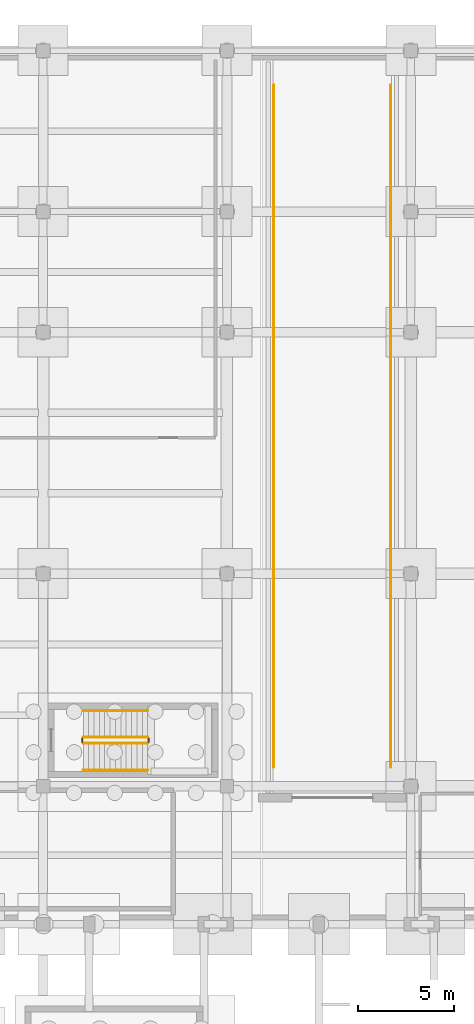
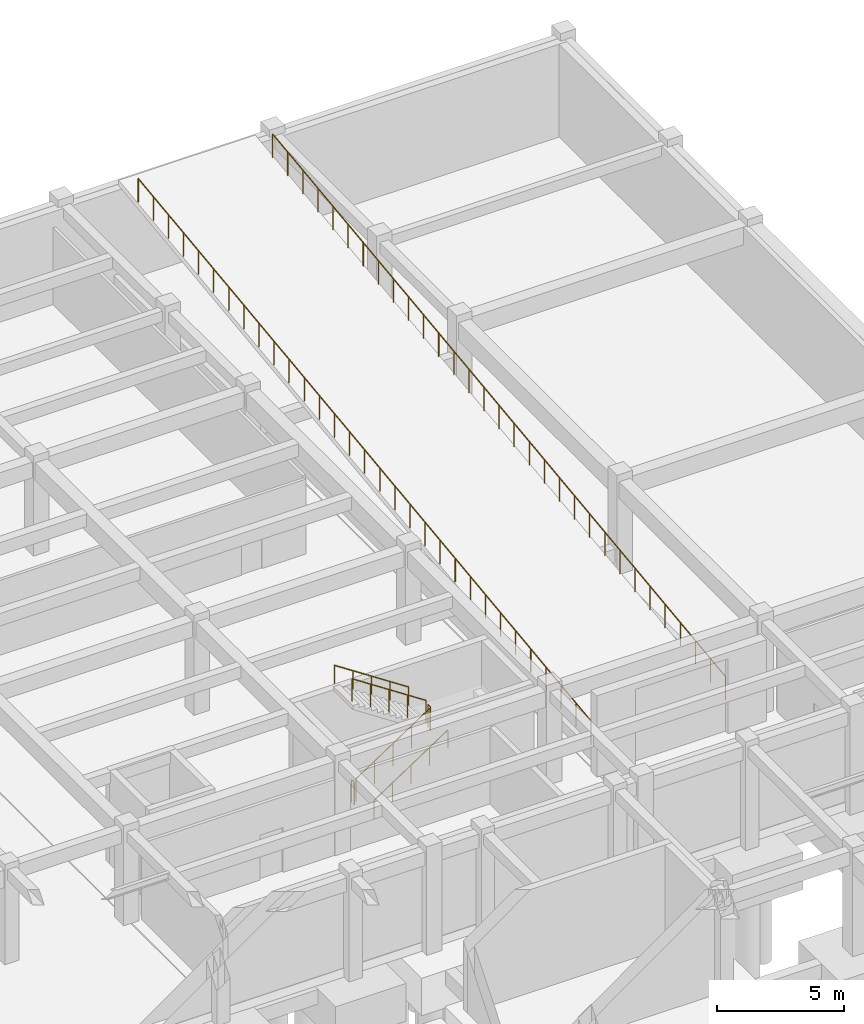
# One storey, part 36 of 37: 8 railings.
"""IFC4 building model written with IfcOpenShell, lengths in metres."""

from ifc_helpers import new_model, si_unit, direction, frame, origin, origin_2d, place, context, subcontext, project, spatial, circle, extrude, material, type_object, element, save


model = new_model("IFC4")

# Units and contexts
model_context = context("Model", 3, precision=1e-05, world=origin(), true_north=direction((0.0, 1.0)))
body_context = subcontext(model_context, "Body", "Model", "MODEL_VIEW")
ifc_project = project(units=[si_unit("LENGTHUNIT", "METRE"), si_unit("AREAUNIT", "SQUARE_METRE"), si_unit("VOLUMEUNIT", "CUBIC_METRE"), si_unit("PLANEANGLEUNIT", "RADIAN"), si_unit("MASSUNIT", "GRAM", prefix="KILO")], contexts=[model_context])

# Site, building, storey
site_placement = place(None, origin())
site = spatial("IfcSite", under=ifc_project, at=site_placement, CompositionType="ELEMENT")
building_placement = place(site_placement, origin())
building = spatial("IfcBuilding", under=site, at=building_placement, Name="Tarnavel Promenade Courthouse", CompositionType="ELEMENT")
storey_placement = place(building_placement, frame((0.0, 0.0, -4.800048828125)))
storey = spatial("IfcBuildingStorey", under=building, at=storey_placement, Name="B01", CompositionType="ELEMENT", Elevation=-4.800048828125)

# Railings
ifc_material_1 = material(Name="Brushed Bronze Tubular Stair Handrail")
railing_type_1 = type_object("IfcRailingType", Name="Brushed Bronze Tubular Stair Handrail (RL-HND-0900)", PredefinedType="HANDRAIL", material=ifc_material_1)
railing_1_placement = place(storey_placement, frame((131.699951171875, 75.25, 0.1845703125)))
element("IfcRailing", 1, at=railing_1_placement, inside=storey, type_object=railing_type_1, Name="B01 ST-06 stair handrail 1", PredefinedType="HANDRAIL", context=body_context, shape_type="SweptSolid", body=[
    extrude(circle(Radius=0.02392578125, at=origin_2d()), frame((0.0, 0.0, 0.8759765625), z_axis=(0.834848600103, 0.0, 0.550479622607), x_axis=(0.0, 1.0, 0.0)), (0.0, 0.0, 1.0), 4.02490234375),
    extrude(circle(Radius=0.02099609375, at=origin_2d()), origin(), (0.0, 0.0, 1.0), 0.851806640625),
    extrude(circle(Radius=0.02099609375, at=origin_2d()), frame((0.840087890625, 0.0, 0.553955078125)), (0.0, 0.0, 1.0), 0.851806640625),
    extrude(circle(Radius=0.02099609375, at=origin_2d()), frame((1.68017578125, 0.0, 1.10791015625)), (0.0, 0.0, 1.0), 0.851806640625),
    extrude(circle(Radius=0.02099609375, at=origin_2d()), frame((2.52001953125, 0.0, 1.66162109375)), (0.0, 0.0, 1.0), 0.851806640625),
    extrude(circle(Radius=0.02099609375, at=origin_2d()), frame((3.360107421875, 0.0, 2.215576171875)), (0.0, 0.0, 1.0), 0.851806640625),
])
railing_2_placement = place(storey_placement, frame((135.06005859375, 78.35009765625, 2.584716796875)))
element("IfcRailing", 2, at=railing_2_placement, inside=storey, type_object=railing_type_1, Name="B01 ST-06 stair handrail 2", PredefinedType="HANDRAIL", context=body_context, shape_type="SweptSolid", body=[
    extrude(circle(Radius=0.02392578125, at=origin_2d()), frame((0.0, 0.0, 0.8759765625), z_axis=(-0.834876476806, 0.0, 0.550437342915), x_axis=(0.0, -1.0, 0.0)), (0.0, 0.0, 1.0), 4.024658203125),
    extrude(circle(Radius=0.02099609375, at=origin_2d()), origin(), (0.0, 0.0, 1.0), 0.851806640625),
    extrude(circle(Radius=0.02099609375, at=origin_2d()), frame((-0.840087890625, 0.0, 0.5537109375)), (0.0, 0.0, 1.0), 0.851806640625),
    extrude(circle(Radius=0.02099609375, at=origin_2d()), frame((-1.68017578125, 0.0, 1.107666015625)), (0.0, 0.0, 1.0), 0.851806640625),
    extrude(circle(Radius=0.02099609375, at=origin_2d()), frame((-2.52001953125, 0.0, 1.66162109375)), (0.0, 0.0, 1.0), 0.851806640625),
    extrude(circle(Radius=0.02099609375, at=origin_2d()), frame((-3.360107421875, 0.0, 2.21533203125)), (0.0, 0.0, 1.0), 0.851806640625),
])
ifc_material_2 = material(Name="Painted Architectural Steel Core Stair Guardrail", Category="steel")
railing_type_2 = type_object("IfcRailingType", Name="Painted Architectural Steel Core Stair Guardrail (RL-GRD-1100)", PredefinedType="GUARDRAIL", material=ifc_material_2)
railing_3_placement = place(storey_placement, frame((131.699951171875, 76.64990234375, 0.1845703125)))
element("IfcRailing", 3, at=railing_3_placement, inside=storey, type_object=railing_type_2, Name="B01 ST-06 stair guard 1", PredefinedType="GUARDRAIL", context=body_context, shape_type="SweptSolid", body=[
    extrude(circle(Radius=0.02392578125, at=origin_2d()), frame((0.0, 0.0, 1.076171875), z_axis=(0.834848600103, 0.0, 0.550479622607), x_axis=(0.0, 1.0, 0.0)), (0.0, 0.0, 1.0), 4.02490234375),
    extrude(circle(Radius=0.02099609375, at=origin_2d()), origin(), (0.0, 0.0, 1.0), 1.052001953125),
    extrude(circle(Radius=0.02099609375, at=origin_2d()), frame((0.840087890625, 0.0, 0.553955078125)), (0.0, 0.0, 1.0), 1.052001953125),
    extrude(circle(Radius=0.02099609375, at=origin_2d()), frame((1.68017578125, 0.0, 1.10791015625)), (0.0, 0.0, 1.0), 1.052001953125),
    extrude(circle(Radius=0.02099609375, at=origin_2d()), frame((2.52001953125, 0.0, 1.66162109375)), (0.0, 0.0, 1.0), 1.052001953125),
    extrude(circle(Radius=0.02099609375, at=origin_2d()), frame((3.360107421875, 0.0, 2.215576171875)), (0.0, 0.0, 1.0), 1.052001953125),
])
railing_4_placement = place(storey_placement, frame((135.110107421875, 76.699951171875, 2.400146484375)))
element("IfcRailing", 4, at=railing_4_placement, inside=storey, type_object=railing_type_2, Name="B01 ST-06 stair guard 2", PredefinedType="GUARDRAIL", context=body_context, shape_type="SweptSolid", body=[
    extrude(circle(Radius=0.02392578125, at=origin_2d()), frame((0.0, 0.0, 1.076171875), z_axis=(0.0, 1.0, 0.0), x_axis=(-1.0, 0.0, 0.0)), (0.0, 0.0, 1.0), 0.199951171875),
    extrude(circle(Radius=0.02099609375, at=origin_2d()), origin(), (0.0, 0.0, 1.0), 1.052001953125),
    extrude(circle(Radius=0.02099609375, at=origin_2d()), frame((0.0, 0.199951171875, 0.0)), (0.0, 0.0, 1.0), 1.052001953125),
])
railing_5_placement = place(storey_placement, frame((135.06005859375, 76.949951171875, 2.584716796875)))
element("IfcRailing", 5, at=railing_5_placement, inside=storey, type_object=railing_type_2, Name="B01 ST-06 stair guard 3", PredefinedType="GUARDRAIL", context=body_context, shape_type="SweptSolid", body=[
    extrude(circle(Radius=0.02392578125, at=origin_2d()), frame((0.0, 0.0, 1.076171875), z_axis=(-0.834876476806, 0.0, 0.550437342915), x_axis=(0.0, -1.0, 0.0)), (0.0, 0.0, 1.0), 4.024658203125),
    extrude(circle(Radius=0.02099609375, at=origin_2d()), origin(), (0.0, 0.0, 1.0), 1.052001953125),
    extrude(circle(Radius=0.02099609375, at=origin_2d()), frame((-0.840087890625, 0.0, 0.5537109375)), (0.0, 0.0, 1.0), 1.052001953125),
    extrude(circle(Radius=0.02099609375, at=origin_2d()), frame((-1.68017578125, 0.0, 1.107666015625)), (0.0, 0.0, 1.0), 1.052001953125),
    extrude(circle(Radius=0.02099609375, at=origin_2d()), frame((-2.52001953125, 0.0, 1.66162109375)), (0.0, 0.0, 1.0), 1.052001953125),
    extrude(circle(Radius=0.02099609375, at=origin_2d()), frame((-3.360107421875, 0.0, 2.21533203125)), (0.0, 0.0, 1.0), 1.052001953125),
])
railing_6_placement = place(storey_placement, frame((131.64990234375, 76.699951171875, 0.0)))
element("IfcRailing", 6, at=railing_6_placement, inside=storey, type_object=railing_type_2, Name="B01 ST-06 stair guard 4", PredefinedType="GUARDRAIL", context=body_context, shape_type="SweptSolid", body=[
    extrude(circle(Radius=0.02392578125, at=origin_2d()), frame((0.0, 0.0, 1.076171875), z_axis=(0.0, 1.0, 0.0), x_axis=(-1.0, 0.0, 0.0)), (0.0, 0.0, 1.0), 0.199951171875),
    extrude(circle(Radius=0.02099609375, at=origin_2d()), origin(), (0.0, 0.0, 1.0), 1.052001953125),
    extrude(circle(Radius=0.02099609375, at=origin_2d()), frame((0.0, 0.199951171875, 0.0)), (0.0, 0.0, 1.0), 1.052001953125),
])
ifc_material_3 = material(Name="Painted Architectural Steel Stair & Atrium Guardrail", Category="steel")
railing_type_3 = type_object("IfcRailingType", Name="Painted Architectural Steel Stair & Atrium Guardrail (RL-GRD-1120)", PredefinedType="GUARDRAIL", material=ifc_material_3)
railing_7_placement = place(storey_placement, frame((141.64990234375, 75.39990234375, 0.170166015625)))
element("IfcRailing", 7, at=railing_7_placement, inside=storey, type_object=railing_type_3, Name="Judicial Vehicle Ramp West Edge Guardrail", PredefinedType="GUARDRAIL", context=body_context, shape_type="SweptSolid", body=[
    extrude(circle(Radius=0.02392578125, at=origin_2d()), frame((0.0, 0.0, 1.1259765625), z_axis=(0.0, 0.992278086094, 0.124033059535), x_axis=(-1.0, 0.0, 0.0)), (0.0, 0.0, 1.0), 35.877197265625),
    extrude(circle(Radius=0.02099609375, at=origin_2d()), origin(), (0.0, 0.0, 1.0), 1.101806640625),
    extrude(circle(Radius=0.02099609375, at=origin_2d()), frame((0.0, 1.186767578125, 0.1484375)), (0.0, 0.0, 1.0), 1.101806640625),
    extrude(circle(Radius=0.02099609375, at=origin_2d()), frame((0.0, 2.373291015625, 0.296630859375)), (0.0, 0.0, 1.0), 1.101806640625),
    extrude(circle(Radius=0.02099609375, at=origin_2d()), frame((0.0, 3.56005859375, 0.445068359375)), (0.0, 0.0, 1.0), 1.101806640625),
    extrude(circle(Radius=0.02099609375, at=origin_2d()), frame((0.0, 4.74658203125, 0.59326171875)), (0.0, 0.0, 1.0), 1.101806640625),
    extrude(circle(Radius=0.02099609375, at=origin_2d()), frame((0.0, 5.933349609375, 0.74169921875)), (0.0, 0.0, 1.0), 1.101806640625),
    extrude(circle(Radius=0.02099609375, at=origin_2d()), frame((0.0, 7.1201171875, 0.889892578125)), (0.0, 0.0, 1.0), 1.101806640625),
    extrude(circle(Radius=0.02099609375, at=origin_2d()), frame((0.0, 8.306640625, 1.038330078125)), (0.0, 0.0, 1.0), 1.101806640625),
    extrude(circle(Radius=0.02099609375, at=origin_2d()), frame((0.0, 9.493408203125, 1.186767578125)), (0.0, 0.0, 1.0), 1.101806640625),
    extrude(circle(Radius=0.02099609375, at=origin_2d()), frame((0.0, 10.679931640625, 1.3349609375)), (0.0, 0.0, 1.0), 1.101806640625),
    extrude(circle(Radius=0.02099609375, at=origin_2d()), frame((0.0, 11.86669921875, 1.4833984375)), (0.0, 0.0, 1.0), 1.101806640625),
    extrude(circle(Radius=0.02099609375, at=origin_2d()), frame((0.0, 13.053466796875, 1.631591796875)), (0.0, 0.0, 1.0), 1.101806640625),
    extrude(circle(Radius=0.02099609375, at=origin_2d()), frame((0.0, 14.239990234375, 1.780029296875)), (0.0, 0.0, 1.0), 1.101806640625),
    extrude(circle(Radius=0.02099609375, at=origin_2d()), frame((0.0, 15.4267578125, 1.92822265625)), (0.0, 0.0, 1.0), 1.101806640625),
    extrude(circle(Radius=0.02099609375, at=origin_2d()), frame((0.0, 16.61328125, 2.07666015625)), (0.0, 0.0, 1.0), 1.101806640625),
    extrude(circle(Radius=0.02099609375, at=origin_2d()), frame((0.0, 17.800048828125, 2.22509765625)), (0.0, 0.0, 1.0), 1.101806640625),
    extrude(circle(Radius=0.02099609375, at=origin_2d()), frame((0.0, 18.98681640625, 2.373291015625)), (0.0, 0.0, 1.0), 1.101806640625),
    extrude(circle(Radius=0.02099609375, at=origin_2d()), frame((0.0, 20.17333984375, 2.521728515625)), (0.0, 0.0, 1.0), 1.101806640625),
    extrude(circle(Radius=0.02099609375, at=origin_2d()), frame((0.0, 21.360107421875, 2.669921875)), (0.0, 0.0, 1.0), 1.101806640625),
    extrude(circle(Radius=0.02099609375, at=origin_2d()), frame((0.0, 22.546630859375, 2.818359375)), (0.0, 0.0, 1.0), 1.101806640625),
    extrude(circle(Radius=0.02099609375, at=origin_2d()), frame((0.0, 23.7333984375, 2.966552734375)), (0.0, 0.0, 1.0), 1.101806640625),
    extrude(circle(Radius=0.02099609375, at=origin_2d()), frame((0.0, 24.920166015625, 3.114990234375)), (0.0, 0.0, 1.0), 1.101806640625),
    extrude(circle(Radius=0.02099609375, at=origin_2d()), frame((0.0, 26.106689453125, 3.26318359375)), (0.0, 0.0, 1.0), 1.101806640625),
    extrude(circle(Radius=0.02099609375, at=origin_2d()), frame((0.0, 27.29345703125, 3.41162109375)), (0.0, 0.0, 1.0), 1.101806640625),
    extrude(circle(Radius=0.02099609375, at=origin_2d()), frame((0.0, 28.47998046875, 3.56005859375)), (0.0, 0.0, 1.0), 1.101806640625),
    extrude(circle(Radius=0.02099609375, at=origin_2d()), frame((0.0, 29.666748046875, 3.708251953125)), (0.0, 0.0, 1.0), 1.101806640625),
    extrude(circle(Radius=0.02099609375, at=origin_2d()), frame((0.0, 30.853515625, 3.856689453125)), (0.0, 0.0, 1.0), 1.101806640625),
    extrude(circle(Radius=0.02099609375, at=origin_2d()), frame((0.0, 32.0400390625, 4.0048828125)), (0.0, 0.0, 1.0), 1.101806640625),
    extrude(circle(Radius=0.02099609375, at=origin_2d()), frame((0.0, 33.226806640625, 4.1533203125)), (0.0, 0.0, 1.0), 1.101806640625),
    extrude(circle(Radius=0.02099609375, at=origin_2d()), frame((0.0, 34.413330078125, 4.301513671875)), (0.0, 0.0, 1.0), 1.101806640625),
    extrude(circle(Radius=0.02099609375, at=origin_2d()), frame((0.0, 35.60009765625, 4.449951171875)), (0.0, 0.0, 1.0), 1.101806640625),
])
railing_8_placement = place(storey_placement, frame((147.75, 75.39990234375, 0.170166015625)))
element("IfcRailing", 8, at=railing_8_placement, inside=storey, type_object=railing_type_3, Name="Judicial Vehicle Ramp East Edge Guardrail", PredefinedType="GUARDRAIL", context=body_context, shape_type="SweptSolid", body=[
    extrude(circle(Radius=0.02392578125, at=origin_2d()), frame((0.0, 0.0, 1.1259765625), z_axis=(0.0, 0.992278086094, 0.124033059535), x_axis=(-1.0, 0.0, 0.0)), (0.0, 0.0, 1.0), 35.877197265625),
    extrude(circle(Radius=0.02099609375, at=origin_2d()), origin(), (0.0, 0.0, 1.0), 1.101806640625),
    extrude(circle(Radius=0.02099609375, at=origin_2d()), frame((0.0, 1.186767578125, 0.1484375)), (0.0, 0.0, 1.0), 1.101806640625),
    extrude(circle(Radius=0.02099609375, at=origin_2d()), frame((0.0, 2.373291015625, 0.296630859375)), (0.0, 0.0, 1.0), 1.101806640625),
    extrude(circle(Radius=0.02099609375, at=origin_2d()), frame((0.0, 3.56005859375, 0.445068359375)), (0.0, 0.0, 1.0), 1.101806640625),
    extrude(circle(Radius=0.02099609375, at=origin_2d()), frame((0.0, 4.74658203125, 0.59326171875)), (0.0, 0.0, 1.0), 1.101806640625),
    extrude(circle(Radius=0.02099609375, at=origin_2d()), frame((0.0, 5.933349609375, 0.74169921875)), (0.0, 0.0, 1.0), 1.101806640625),
    extrude(circle(Radius=0.02099609375, at=origin_2d()), frame((0.0, 7.1201171875, 0.889892578125)), (0.0, 0.0, 1.0), 1.101806640625),
    extrude(circle(Radius=0.02099609375, at=origin_2d()), frame((0.0, 8.306640625, 1.038330078125)), (0.0, 0.0, 1.0), 1.101806640625),
    extrude(circle(Radius=0.02099609375, at=origin_2d()), frame((0.0, 9.493408203125, 1.186767578125)), (0.0, 0.0, 1.0), 1.101806640625),
    extrude(circle(Radius=0.02099609375, at=origin_2d()), frame((0.0, 10.679931640625, 1.3349609375)), (0.0, 0.0, 1.0), 1.101806640625),
    extrude(circle(Radius=0.02099609375, at=origin_2d()), frame((0.0, 11.86669921875, 1.4833984375)), (0.0, 0.0, 1.0), 1.101806640625),
    extrude(circle(Radius=0.02099609375, at=origin_2d()), frame((0.0, 13.053466796875, 1.631591796875)), (0.0, 0.0, 1.0), 1.101806640625),
    extrude(circle(Radius=0.02099609375, at=origin_2d()), frame((0.0, 14.239990234375, 1.780029296875)), (0.0, 0.0, 1.0), 1.101806640625),
    extrude(circle(Radius=0.02099609375, at=origin_2d()), frame((0.0, 15.4267578125, 1.92822265625)), (0.0, 0.0, 1.0), 1.101806640625),
    extrude(circle(Radius=0.02099609375, at=origin_2d()), frame((0.0, 16.61328125, 2.07666015625)), (0.0, 0.0, 1.0), 1.101806640625),
    extrude(circle(Radius=0.02099609375, at=origin_2d()), frame((0.0, 17.800048828125, 2.22509765625)), (0.0, 0.0, 1.0), 1.101806640625),
    extrude(circle(Radius=0.02099609375, at=origin_2d()), frame((0.0, 18.98681640625, 2.373291015625)), (0.0, 0.0, 1.0), 1.101806640625),
    extrude(circle(Radius=0.02099609375, at=origin_2d()), frame((0.0, 20.17333984375, 2.521728515625)), (0.0, 0.0, 1.0), 1.101806640625),
    extrude(circle(Radius=0.02099609375, at=origin_2d()), frame((0.0, 21.360107421875, 2.669921875)), (0.0, 0.0, 1.0), 1.101806640625),
    extrude(circle(Radius=0.02099609375, at=origin_2d()), frame((0.0, 22.546630859375, 2.818359375)), (0.0, 0.0, 1.0), 1.101806640625),
    extrude(circle(Radius=0.02099609375, at=origin_2d()), frame((0.0, 23.7333984375, 2.966552734375)), (0.0, 0.0, 1.0), 1.101806640625),
    extrude(circle(Radius=0.02099609375, at=origin_2d()), frame((0.0, 24.920166015625, 3.114990234375)), (0.0, 0.0, 1.0), 1.101806640625),
    extrude(circle(Radius=0.02099609375, at=origin_2d()), frame((0.0, 26.106689453125, 3.26318359375)), (0.0, 0.0, 1.0), 1.101806640625),
    extrude(circle(Radius=0.02099609375, at=origin_2d()), frame((0.0, 27.29345703125, 3.41162109375)), (0.0, 0.0, 1.0), 1.101806640625),
    extrude(circle(Radius=0.02099609375, at=origin_2d()), frame((0.0, 28.47998046875, 3.56005859375)), (0.0, 0.0, 1.0), 1.101806640625),
    extrude(circle(Radius=0.02099609375, at=origin_2d()), frame((0.0, 29.666748046875, 3.708251953125)), (0.0, 0.0, 1.0), 1.101806640625),
    extrude(circle(Radius=0.02099609375, at=origin_2d()), frame((0.0, 30.853515625, 3.856689453125)), (0.0, 0.0, 1.0), 1.101806640625),
    extrude(circle(Radius=0.02099609375, at=origin_2d()), frame((0.0, 32.0400390625, 4.0048828125)), (0.0, 0.0, 1.0), 1.101806640625),
    extrude(circle(Radius=0.02099609375, at=origin_2d()), frame((0.0, 33.226806640625, 4.1533203125)), (0.0, 0.0, 1.0), 1.101806640625),
    extrude(circle(Radius=0.02099609375, at=origin_2d()), frame((0.0, 34.413330078125, 4.301513671875)), (0.0, 0.0, 1.0), 1.101806640625),
    extrude(circle(Radius=0.02099609375, at=origin_2d()), frame((0.0, 35.60009765625, 4.449951171875)), (0.0, 0.0, 1.0), 1.101806640625),
])

save(model, "model.ifc")
